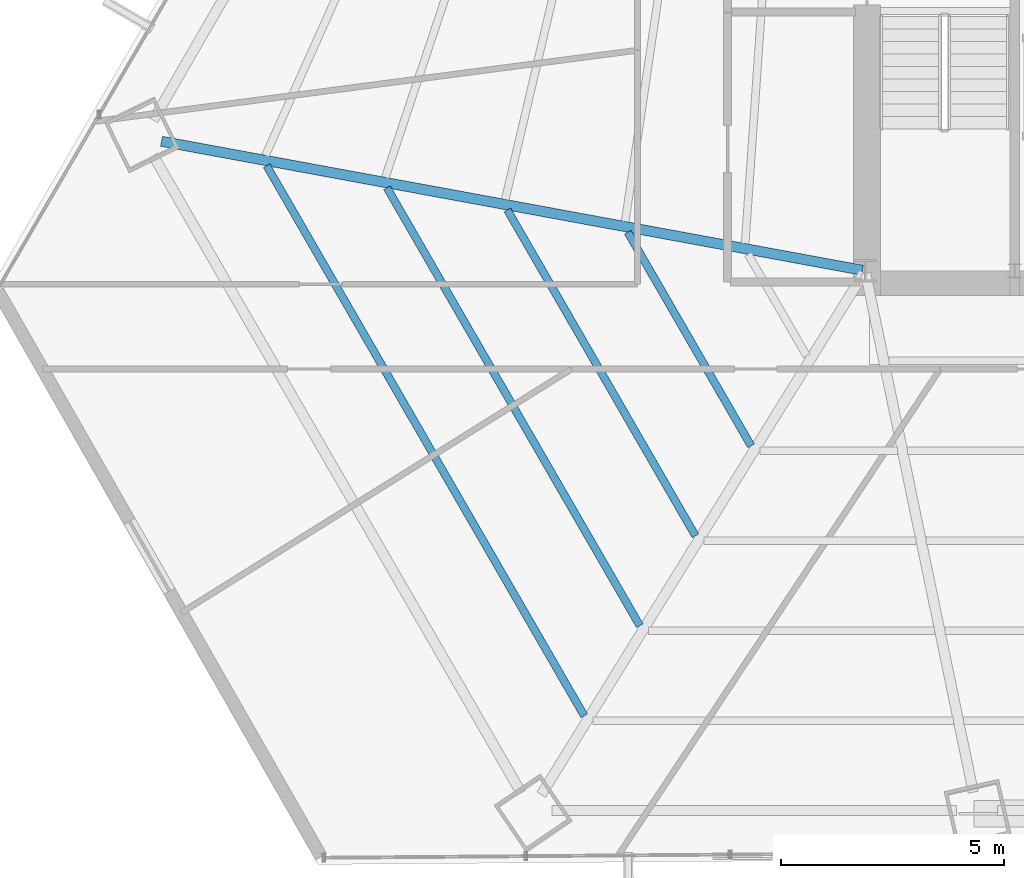
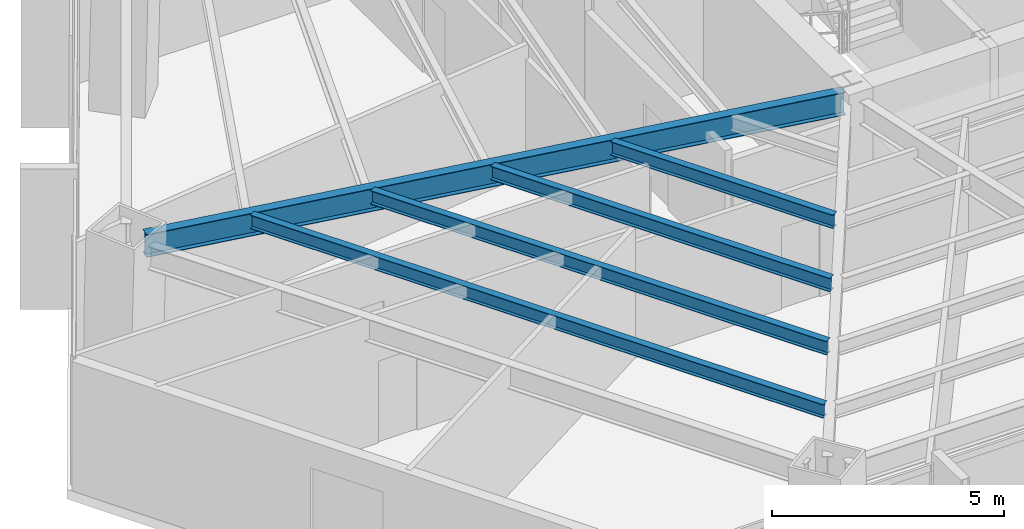
# One storey, part 6 of 34: 5 beams.
"""IFC4 building model written with IfcOpenShell, lengths in metres."""

from ifc_helpers import new_model, si_unit, direction, frame, origin, origin_2d, place, context, subcontext, project, spatial, i_section, extrude, source, transform, mapped, material, material_profile, profile_set, type_object, type_shapes, element, save


model = new_model("IFC4")

# Units and contexts
model_context = context("Model", 3, precision=1e-05, world=origin(), true_north=direction((0.0, 1.0)))
body_context = subcontext(model_context, "Body", "Model", "MODEL_VIEW")
ifc_project = project(units=[si_unit("LENGTHUNIT", "METRE"), si_unit("AREAUNIT", "SQUARE_METRE"), si_unit("VOLUMEUNIT", "CUBIC_METRE"), si_unit("PLANEANGLEUNIT", "RADIAN"), si_unit("MASSUNIT", "GRAM", prefix="KILO")], contexts=[model_context])

# Site, building, storey
site_placement = place(None, origin())
site = spatial("IfcSite", under=ifc_project, at=site_placement, CompositionType="ELEMENT")
building_placement = place(site_placement, origin())
building = spatial("IfcBuilding", under=site, at=building_placement, Name="Caelisora Broadcast Tower", CompositionType="ELEMENT")
storey_placement = place(building_placement, frame((0.0, 0.0, 49.5)))
storey = spatial("IfcBuildingStorey", under=building, at=storey_placement, Name="L12", CompositionType="ELEMENT", Elevation=49.5)

# Beams
ifc_material = material(Name="Steel Grade 350 (AS/NZS 3679.1)", Category="steel")
ifc_material_profile_1 = material_profile(ifc_material, i_section(OverallWidth=0.22802734375, OverallDepth=0.602294921875, WebThickness=0.010498046875, FlangeThickness=0.014892578125, at=origin_2d()), Name="Steel Grade 350 (AS/NZS 3679.1)")
ifc_profile_set_1 = profile_set([ifc_material_profile_1], Name="Steel Grade 350 (AS/NZS 3679.1)")
beam_type_1 = type_object("IfcBeamType", Name="PG04", PredefinedType="BEAM", material=ifc_profile_set_1)
shared_shape_1 = source(origin(), body_context, "Body", "SweptSolid", [
    extrude(i_section(OverallWidth=0.22802734375, OverallDepth=0.602294921875, WebThickness=0.010498046875, FlangeThickness=0.014892578125, at=origin_2d()), origin(), (0.0, 0.0, 1.0), 15.968994140625),
])
type_shapes(beam_type_1, [shared_shape_1])
beam_1_placement = place(storey_placement, frame((30.44091796875, 17.410888671875, 3.098876953125), z_axis=(-0.983486073616, 0.180983819731, 0.0), x_axis=(-0.180983819731, -0.983486073616, 0.0)))
element("IfcBeam", 1, at=beam_1_placement, inside=storey, type_object=beam_type_1, Name="L12 beam PG04", PredefinedType="BEAM", context=body_context, shape_type="MappedRepresentation", body=[
    mapped(shared_shape_1, transform((0.0, 0.0, 0.0), scale=1.0)),
])
ifc_material_profile_2 = material_profile(ifc_material, i_section(OverallWidth=0.172119140625, OverallDepth=0.358642578125, WebThickness=0.008056640625, FlangeThickness=0.012939453125, at=origin_2d()), Name="Steel Grade 350 (AS/NZS 3679.1)")
ifc_profile_set_2 = profile_set([ifc_material_profile_2], Name="Steel Grade 350 (AS/NZS 3679.1)")
beam_type_2 = type_object("IfcBeamType", Name="SB02", PredefinedType="JOIST", material=ifc_profile_set_2)
shared_shape_2 = source(origin(), body_context, "Body", "SweptSolid", [
    extrude(i_section(OverallWidth=0.172119140625, OverallDepth=0.358642578125, WebThickness=0.008056640625, FlangeThickness=0.012939453125, at=origin_2d()), origin(), (0.0, 0.0, 1.0), 5.52734375),
])
beam_2_placement = place(storey_placement, frame((25.180908203125, 18.26513671875, 3.220703125), z_axis=(0.49999646442, -0.866027445043, 0.0), x_axis=(0.866027445043, 0.49999646442, 0.0)))
element("IfcBeam", 2, at=beam_2_placement, inside=storey, type_object=beam_type_2, Name="L12 beam SB02", PredefinedType="JOIST", context=body_context, shape_type="MappedRepresentation", body=[
    mapped(shared_shape_2, transform((0.0, 0.0, 0.0), scale=1.0)),
])
shared_shape_3 = source(origin(), body_context, "Body", "SweptSolid", [
    extrude(i_section(OverallWidth=0.172119140625, OverallDepth=0.358642578125, WebThickness=0.008056640625, FlangeThickness=0.012939453125, at=origin_2d()), origin(), (0.0, 0.0, 1.0), 8.42822265625),
])
beam_3_placement = place(storey_placement, frame((22.484619140625, 18.761474609375, 3.220703125), z_axis=(0.499977383574, -0.866038460991, 0.0), x_axis=(0.866038460991, 0.499977383574, 0.0)))
element("IfcBeam", 3, at=beam_3_placement, inside=storey, type_object=beam_type_2, Name="L12 beam SB02", PredefinedType="JOIST", context=body_context, shape_type="MappedRepresentation", body=[
    mapped(shared_shape_3, transform((0.0, 0.0, 0.0), scale=1.0)),
])
shared_shape_4 = source(origin(), body_context, "Body", "SweptSolid", [
    extrude(i_section(OverallWidth=0.172119140625, OverallDepth=0.358642578125, WebThickness=0.008056640625, FlangeThickness=0.012939453125, at=origin_2d()), origin(), (0.0, 0.0, 1.0), 11.328125),
])
beam_4_placement = place(storey_placement, frame((19.788330078125, 19.257568359375, 3.220703125), z_axis=(0.499996068715, -0.866027673501, 0.0), x_axis=(0.866027673501, 0.499996068715, 0.0)))
element("IfcBeam", 4, at=beam_4_placement, inside=storey, type_object=beam_type_2, Name="L12 beam SB02", PredefinedType="JOIST", context=body_context, shape_type="MappedRepresentation", body=[
    mapped(shared_shape_4, transform((0.0, 0.0, 0.0), scale=1.0)),
])
shared_shape_5 = source(origin(), body_context, "Body", "SweptSolid", [
    extrude(i_section(OverallWidth=0.172119140625, OverallDepth=0.358642578125, WebThickness=0.008056640625, FlangeThickness=0.012939453125, at=origin_2d()), origin(), (0.0, 0.0, 1.0), 14.228759765625),
])
type_shapes(beam_type_2, [shared_shape_2, shared_shape_3, shared_shape_4, shared_shape_5])
beam_5_placement = place(storey_placement, frame((17.092041015625, 19.753662109375, 3.220703125), z_axis=(0.499992276994, -0.866029862618, 0.0), x_axis=(0.866029862618, 0.499992276994, 0.0)))
element("IfcBeam", 5, at=beam_5_placement, inside=storey, type_object=beam_type_2, Name="L12 beam SB02", PredefinedType="JOIST", context=body_context, shape_type="MappedRepresentation", body=[
    mapped(shared_shape_5, transform((0.0, 0.0, 0.0), scale=1.0)),
])

save(model, "model.ifc")
